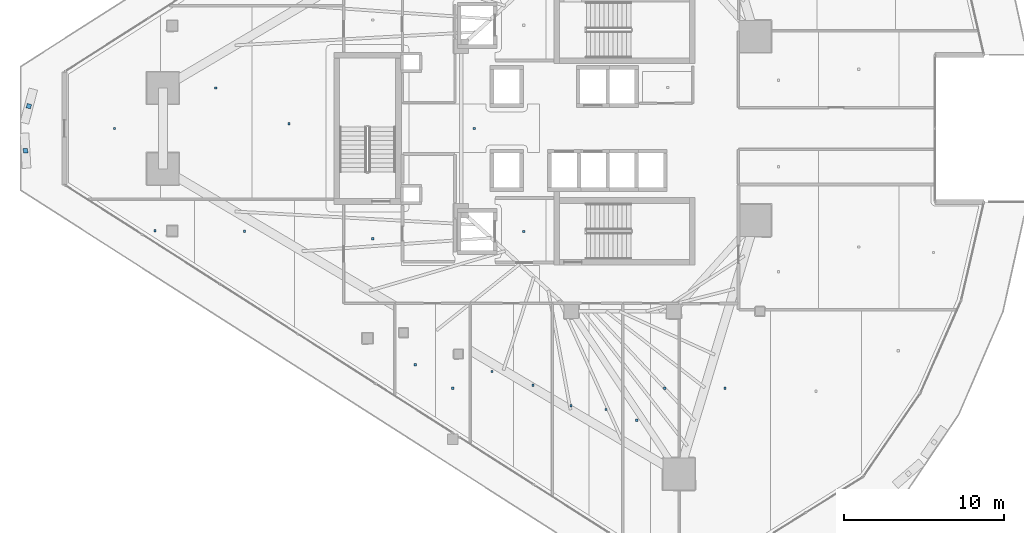
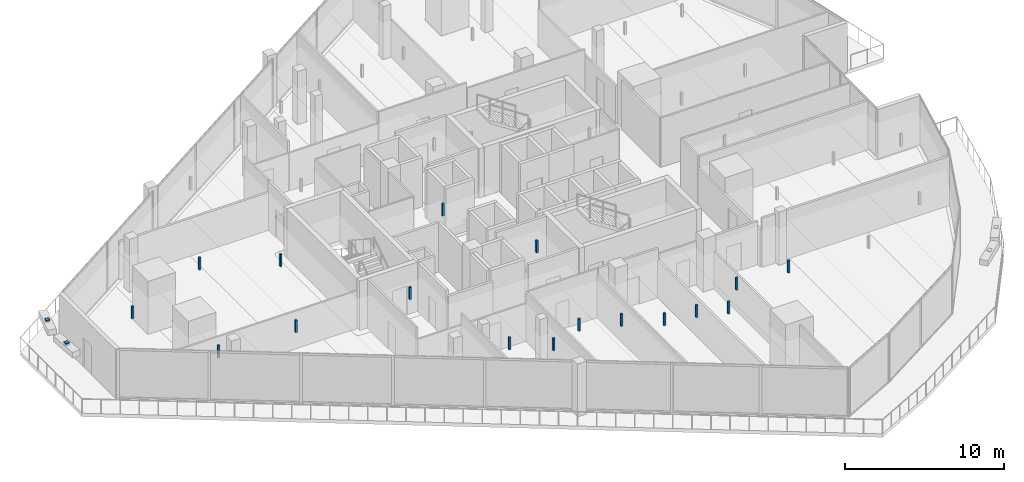
# One storey, part 28 of 37: 19 discrete accessories.
"""IFC4 building model written with IfcOpenShell, lengths in metres."""

import ifcopenshell
import ifcopenshell.guid

model = None  # the IFC model being written
_history = None  # IfcOwnerHistory: only IFC2X3 demands one
_inside = {}  # id of a spatial element -> (the spatial element, [elements in it])
_under = {}  # id of a project, library or spatial element -> (it, [spatial elements below it])
_declared = {}  # id of a project -> (the project, [libraries it declares])
_typed = {}  # id of a type object -> (the type object, [elements of that type])
_made_of = {}  # id of a material, layer set ... -> (it, [elements and type objects made of it])


def new_model(schema):
    """Start an empty IFC model of exactly this schema.

    Asked for "IFC4X3", IfcOpenShell would pick the latest addendum, in which some entities
    have other attributes; the version numbers below select the first issue.
    IFC2X3 requires an IfcOwnerHistory on every rooted entity: one is made here for all.
    """
    global model, _history
    if schema == "IFC4X3":
        model = ifcopenshell.file(schema_version=(4, 3, 0, 0))
    else:
        model = ifcopenshell.file(schema=schema)
    _inside.clear()
    _under.clear()
    _declared.clear()
    _typed.clear()
    _made_of.clear()
    _history = None
    if model.schema == "IFC2X3":
        org = make("IfcOrganization", Name="unknown")
        user = make(
            "IfcPersonAndOrganization",
            ThePerson=make("IfcPerson", FamilyName="unknown"),
            TheOrganization=org,
        )
        app = make(
            "IfcApplication",
            ApplicationDeveloper=org,
            Version="unknown",
            ApplicationFullName="unknown",
            ApplicationIdentifier="unknown",
        )
        _history = make(
            "IfcOwnerHistory",
            OwningUser=user,
            OwningApplication=app,
            ChangeAction="ADDED",
            CreationDate=0,
        )
    return model


def make(cls, **values):
    """One entity of the class cls with the attributes given. An attribute that is None is left unset."""
    return model.create_entity(
        cls, **{name: value for name, value in values.items() if value is not None}
    )


def rooted(cls, **values):
    """An entity with a GlobalId (a new one), such as an element, a storey or a relation."""
    return make(cls, GlobalId=ifcopenshell.guid.new(), OwnerHistory=_history, **values)


def si_unit(unit_type, name, prefix=None):
    """IfcSIUnit, for example si_unit("LENGTHUNIT", "METRE", prefix="MILLI")."""
    return make("IfcSIUnit", UnitType=unit_type, Prefix=prefix, Name=name)


def assignment(units):
    """IfcUnitAssignment: the units of a project."""
    return None if units is None else make("IfcUnitAssignment", Units=units)


def point(xyz):
    """IfcCartesianPoint."""
    return None if xyz is None else make("IfcCartesianPoint", Coordinates=xyz)


def direction(xyz):
    """IfcDirection."""
    return None if xyz is None else make("IfcDirection", DirectionRatios=xyz)


def frame(location, z_axis=None, x_axis=None):
    """IfcAxis2Placement3D, a coordinate frame: its origin and axes. An axis left out is left unset."""
    return make(
        "IfcAxis2Placement3D",
        Location=point(location),
        Axis=direction(z_axis),
        RefDirection=direction(x_axis),
    )


def frame_2d(location, x_axis=None):
    """IfcAxis2Placement2D, a coordinate frame in the plane: its origin and x axis."""
    return make(
        "IfcAxis2Placement2D", Location=point(location), RefDirection=direction(x_axis)
    )


def origin():
    """The frame at (0, 0, 0) with its axes left unset."""
    return frame((0.0, 0.0, 0.0))


def origin_2d():
    """The frame at (0, 0) in the plane with its x axis left unset."""
    return frame_2d((0.0, 0.0))


def place(relative_to, where):
    """IfcLocalPlacement: puts the frame where relative to a parent placement (None: the world)."""
    return make(
        "IfcLocalPlacement", PlacementRelTo=relative_to, RelativePlacement=where
    )


def context(
    kind, dimensions, precision=None, world=None, true_north=None, identifier=None
):
    """IfcGeometricRepresentationContext, for example the 3D "Model" context."""
    return make(
        "IfcGeometricRepresentationContext",
        ContextIdentifier=identifier,
        ContextType=kind,
        CoordinateSpaceDimension=dimensions,
        Precision=precision,
        WorldCoordinateSystem=world,
        TrueNorth=true_north,
    )


def subcontext(parent, identifier, kind, view, scale=None):
    """IfcGeometricRepresentationSubContext, for example "Body" below "Model"."""
    return make(
        "IfcGeometricRepresentationSubContext",
        ContextIdentifier=identifier,
        ContextType=kind,
        ParentContext=parent,
        TargetScale=scale,
        TargetView=view,
    )


def project(units=None, contexts=None):
    """IfcProject with its units and contexts."""
    return rooted(
        "IfcProject",
        Name="project",
        RepresentationContexts=contexts,
        UnitsInContext=assignment(units),
    )


def spatial(cls, under=None, at=None, **own):
    """A site, building, storey or space (cls), placed at a placement, below another one or the project."""
    s = rooted(cls, ObjectPlacement=at, **own)
    if under is not None:
        _under.setdefault(under.id(), (under, []))[1].append(s)
    return s


def profile(cls, at=None, kind="AREA", **sizes):
    """A parametric profile (cls). Its sizes go by their IFC names, for example OverallWidth=200.0."""
    return make(cls, ProfileType=kind, Position=at, **sizes)


def rectangle(**sizes):
    """IfcRectangleProfileDef."""
    return profile("IfcRectangleProfileDef", **sizes)


def extrude(swept, where, along, depth):
    """IfcExtrudedAreaSolid: the profile swept, set in the frame where, extruded along a direction by depth."""
    return make(
        "IfcExtrudedAreaSolid",
        SweptArea=swept,
        Position=where,
        ExtrudedDirection=direction(along),
        Depth=depth,
    )


def shape(context_of_items, identifier, shape_type, items):
    """IfcShapeRepresentation: the items that make up one representation, for example the "Body"."""
    return make(
        "IfcShapeRepresentation",
        ContextOfItems=context_of_items,
        RepresentationIdentifier=identifier,
        RepresentationType=shape_type,
        Items=items,
    )


def material(Name=None, Category=None):
    """IfcMaterial."""
    return make("IfcMaterial", Name=Name, Category=Category)


def made_of(thing, what):
    """Note that an element or type object is made of a material, layer set ...; save() writes the relation."""
    if what is not None:
        _made_of.setdefault(what.id(), (what, []))[1].append(thing)
    return thing


def type_object(cls, material=None, **own):
    """A type object (cls), such as IfcWallType, which elements share."""
    return made_of(rooted(cls, **own), material)


def element(
    cls,
    number,
    at=None,
    inside=None,
    cuts=None,
    type_object=None,
    material=None,
    context=None,
    identifier="Body",
    shape_type=None,
    held_by="IfcProductDefinitionShape",
    body=None,
    shapes=None,
    **own,
):
    """One element of the class cls, such as IfcWall. Its Tag is "e" and its number.

    at: its placement. inside: the storey or other place that contains it. cuts: it is an
    opening in that element (IfcRelVoidsElement). A single representation is given by context,
    identifier, shape_type and body (its items); several are given by shapes. held_by: the class
    of the entity that holds the representations. save() writes the other relations.
    """
    e = rooted(cls, Tag="e%d" % number, ObjectPlacement=at, **own)
    if body is not None:
        shapes = [shape(context, identifier, shape_type, body)]
    if shapes is not None:
        e.Representation = make(held_by, Representations=shapes)
    if inside is not None:
        _inside.setdefault(inside.id(), (inside, []))[1].append(e)
    if cuts is not None:
        rooted(
            "IfcRelVoidsElement", RelatingBuildingElement=cuts, RelatedOpeningElement=e
        )
    if type_object is not None:
        _typed.setdefault(type_object.id(), (type_object, []))[1].append(e)
    return made_of(e, material)


def aggregate(whole, parts):
    """IfcRelAggregates: a whole, such as a stair, and the parts it consists of."""
    return rooted("IfcRelAggregates", RelatingObject=whole, RelatedObjects=parts)


def save(model, path):
    """Write the relations noted so far, then the file.

    IfcRelAggregates (storeys below a building ...), IfcRelContainedInSpatialStructure (elements
    in a storey), IfcRelDefinesByType, IfcRelAssociatesMaterial and IfcRelDeclares: one each for
    every whole, place, type object, material and project.
    """
    for whole, parts in _under.values():
        aggregate(whole, parts)
    for where, things in _inside.values():
        rooted(
            "IfcRelContainedInSpatialStructure",
            RelatedElements=things,
            RelatingStructure=where,
        )
    for kind, things in _typed.values():
        rooted("IfcRelDefinesByType", RelatedObjects=things, RelatingType=kind)
    for what, things in _made_of.values():
        rooted("IfcRelAssociatesMaterial", RelatedObjects=things, RelatingMaterial=what)
    for by, libraries in _declared.values():
        rooted("IfcRelDeclares", RelatingContext=by, RelatedDefinitions=libraries)
    model.write(path)


model = new_model("IFC4")

# Units and contexts
model_context = context("Model", 3, precision=1e-05, world=origin(), true_north=direction((0.0, 1.0)))
body_context = subcontext(model_context, "Body", "Model", "MODEL_VIEW")
ifc_project = project(units=[si_unit("LENGTHUNIT", "METRE"), si_unit("AREAUNIT", "SQUARE_METRE"), si_unit("VOLUMEUNIT", "CUBIC_METRE"), si_unit("PLANEANGLEUNIT", "RADIAN"), si_unit("MASSUNIT", "GRAM", prefix="KILO")], contexts=[model_context])

# Site, building, storey
site_placement = place(None, origin())
site = spatial("IfcSite", under=ifc_project, at=site_placement, CompositionType="ELEMENT")
building_placement = place(site_placement, origin())
building = spatial("IfcBuilding", under=site, at=building_placement, Name="Qorvath Tower", CompositionType="ELEMENT")
storey_placement = place(building_placement, frame((0.0, 0.0, 184.800048828125)))
storey = spatial("IfcBuildingStorey", under=building, at=storey_placement, Name="L42", CompositionType="ELEMENT", Elevation=184.800048828125)

# Discrete accessories
ifc_material = material(Name="Galvanised steel bracket", Category="steel")
discrete_accessory_type = type_object("IfcDiscreteAccessoryType", Name="DA-BRACKET", PredefinedType="BRACKET", material=ifc_material)
for number, where, z_axis, x_axis, name in (
    (1, (-57.561279296875, 1.394287109375, 3.64013671875), (0.0, 0.0, 1.0), (-0.251642023988, -0.967820381973, 0.0), "Louvre Wave Support Bracket L42-01"),
    (2, (-57.771240234375, -1.394287109375, 3.64013671875), (0.0, 0.0, 1.0), (0.060231486533, -0.998184435878, 0.0), "Louvre Wave Support Bracket L42-02"),
):
    element("IfcDiscreteAccessory", number, at=place(storey_placement, frame(where, z_axis=z_axis, x_axis=x_axis)), inside=storey, type_object=discrete_accessory_type, Name=name, PredefinedType="NOTDEFINED", context=body_context, shape_type="SweptSolid", body=[
        extrude(rectangle(XDim=0.280029296875, YDim=0.280029296875, at=origin_2d()), origin(), (0.0, 0.0, 1.0), 0.199951171875),
    ])
for number, where, z_axis, x_axis, name in (
    (3, (-26.590087890625, -6.449951171875, 2.85986328125), (0.0, 0.0, 1.0), (1.0, 0.0, 0.0), "Acoustic Ceiling Suspension Hanger T1-L42-002"),
    (4, (-36.04150390625, -6.9072265625, 2.85986328125), (0.0, 0.0, 1.0), (1.0, 0.0, 0.0), "Acoustic Ceiling Suspension Hanger T1-L42-006"),
    (5, (-29.68212890625, 0.0, 2.85986328125), (0.0, 0.0, 1.0), (1.0, 0.0, 0.0), "Acoustic Ceiling Suspension Hanger T1-L42-008"),
    (6, (-33.3818359375, -14.791748046875, 2.85986328125), (0.0, 0.0, 1.0), (1.0, 0.0, 0.0), "Acoustic Ceiling Suspension Hanger T1-L42-016"),
    (7, (-31.030517578125, -16.264892578125, 2.85986328125), (0.0, 0.0, 1.0), (1.0, 0.0, 0.0), "Acoustic Ceiling Suspension Hanger T1-L42-017"),
    (8, (-28.573974609375, -15.218017578125, 2.85986328125), (0.0, 0.0, 1.0), (1.0, 0.0, 0.0), "Acoustic Ceiling Suspension Hanger T1-L42-018"),
    (9, (-26.01025390625, -16.081298828125, 2.85986328125), (0.0, 0.0, 1.0), (1.0, 0.0, 0.0), "Acoustic Ceiling Suspension Hanger T1-L42-019"),
    (10, (-23.633056640625, -17.360595703125, 2.85986328125), (0.0, 0.0, 1.0), (1.0, 0.0, 0.0), "Acoustic Ceiling Suspension Hanger T1-L42-020"),
    (11, (-21.43701171875, -17.594970703125, 2.85986328125), (0.0, 0.0, 1.0), (1.0, 0.0, 0.0), "Acoustic Ceiling Suspension Hanger T1-L42-021"),
    (12, (-19.508056640625, -18.271484375, 2.85986328125), (0.0, 0.0, 1.0), (1.0, 0.0, 0.0), "Acoustic Ceiling Suspension Hanger T1-L42-022"),
    (13, (-17.755615234375, -16.263671875, 2.85986328125), (0.0, 0.0, 1.0), (1.0, 0.0, 0.0), "Acoustic Ceiling Suspension Hanger T1-L42-023"),
    (14, (-13.99462890625, -16.263671875, 2.85986328125), (0.0, 0.0, 1.0), (1.0, 0.0, 0.0), "Acoustic Ceiling Suspension Hanger T1-L42-024"),
    (15, (-49.6640625, -6.4033203125, 2.85986328125), (0.0, 0.0, 1.0), (1.0, 0.0, 0.0), "Acoustic Ceiling Suspension Hanger T1-L42-036"),
    (16, (-44.054931640625, -6.43994140625, 2.85986328125), (0.0, 0.0, 1.0), (1.0, 0.0, 0.0), "Acoustic Ceiling Suspension Hanger T1-L42-037"),
    (17, (-52.20458984375, 0.0, 2.85986328125), (0.0, 0.0, 1.0), (1.0, 0.0, 0.0), "Acoustic Ceiling Suspension Hanger T1-L42-039"),
    (18, (-45.864501953125, 2.52783203125, 2.85986328125), (0.0, 0.0, 1.0), (1.0, 0.0, 0.0), "Acoustic Ceiling Suspension Hanger T1-L42-040"),
    (19, (-41.27490234375, 0.284423828125, 2.85986328125), (0.0, 0.0, 1.0), (1.0, 0.0, 0.0), "Acoustic Ceiling Suspension Hanger T1-L42-041"),
):
    element("IfcDiscreteAccessory", number, at=place(storey_placement, frame(where, z_axis=z_axis, x_axis=x_axis)), inside=storey, type_object=discrete_accessory_type, Name=name, PredefinedType="NOTDEFINED", context=body_context, shape_type="SweptSolid", body=[
        extrude(rectangle(XDim=0.139892578125, YDim=0.139892578125, at=origin_2d()), origin(), (0.0, 0.0, 1.0), 0.9501953125),
    ])

save(model, "model.ifc")
